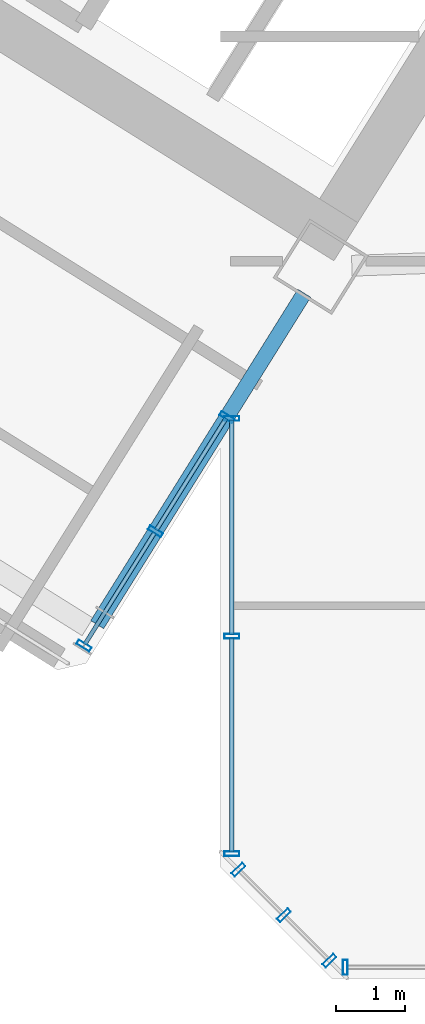
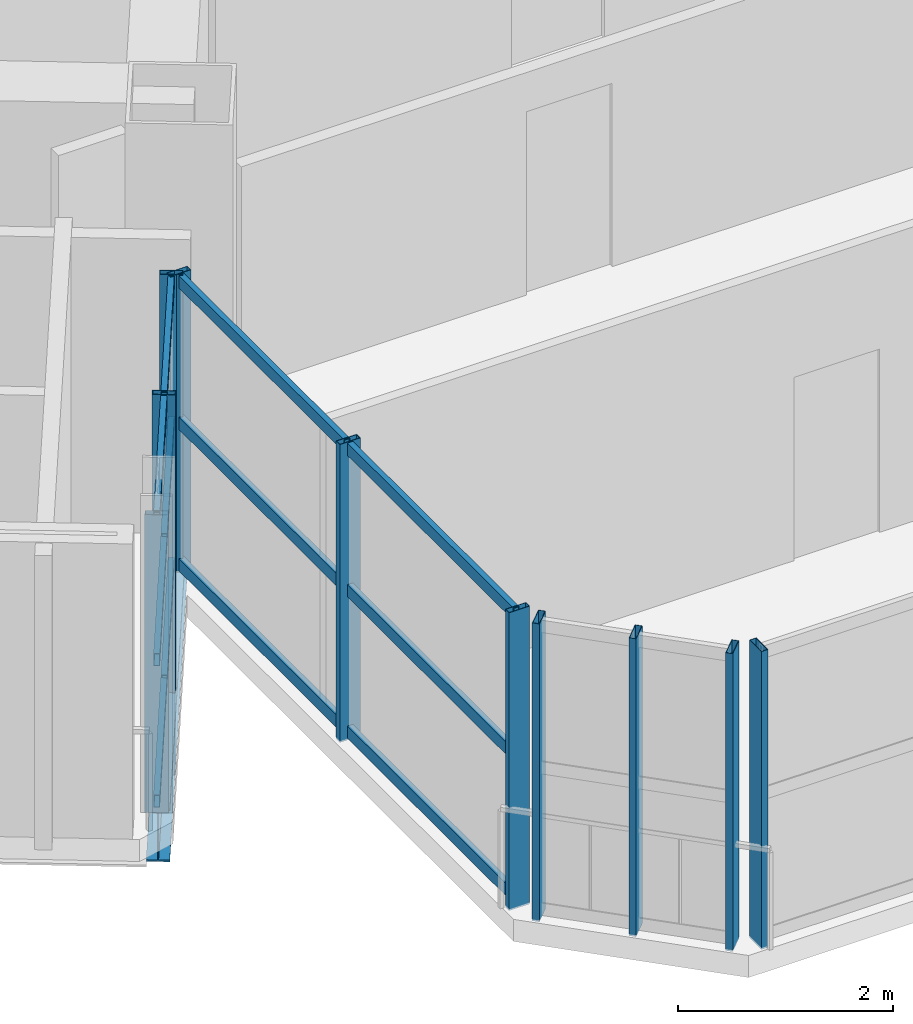
# One storey, part 5 of 28: 22 members, 1 beam, 4 elements without a shape of their own.
"""IFC4 building model written with IfcOpenShell, lengths in metres."""

from ifc_helpers import new_model, si_unit, direction, frame, origin, origin_2d, place, context, subcontext, project, spatial, hollow_rectangle, i_section, extrude, source, transform, mapped, material, material_profile, profile_set, type_object, element, aggregate, save


model = new_model("IFC4")

# Units and contexts
model_context = context("Model", 3, precision=1e-05, world=origin(), true_north=direction((0.0, 1.0)))
body_context = subcontext(model_context, "Body", "Model", "MODEL_VIEW")
ifc_project = project(units=[si_unit("LENGTHUNIT", "METRE"), si_unit("AREAUNIT", "SQUARE_METRE"), si_unit("VOLUMEUNIT", "CUBIC_METRE"), si_unit("PLANEANGLEUNIT", "RADIAN"), si_unit("MASSUNIT", "GRAM", prefix="KILO")], contexts=[model_context])

# Site, building, storey
site_placement = place(None, origin())
site = spatial("IfcSite", under=ifc_project, at=site_placement, CompositionType="ELEMENT")
building_placement = place(site_placement, origin())
building = spatial("IfcBuilding", under=site, at=building_placement, Name="Tlacorven Tower", CompositionType="ELEMENT")
storey_placement = place(building_placement, frame((0.0, 0.0, 63.60009765625)))
storey = spatial("IfcBuildingStorey", under=building, at=storey_placement, Name="L16", CompositionType="ELEMENT", Elevation=63.60009765625)

# Beam
ifc_material_1 = material(Name="Steel S355J2", Category="steel")
ifc_material_profile_1 = material_profile(ifc_material_1, i_section(OverallWidth=0.219970703125, OverallDepth=0.60009765625, WebThickness=0.011962890625, FlangeThickness=0.01904296875, at=origin_2d()), Name="IPE 600")
ifc_profile_set_1 = profile_set([ifc_material_profile_1], Name="Steel S355J2")
beam_type = type_object("IfcBeamType", Name="BM-TWR-600", PredefinedType="BEAM", material=ifc_profile_set_1)
shared_shape_1 = source(origin(), body_context, "Body", "SweptSolid", [
    extrude(i_section(OverallWidth=0.219970703125, OverallDepth=0.60009765625, WebThickness=0.011962890625, FlangeThickness=0.01904296875, at=origin_2d()), origin(), (0.0, 0.0, 1.0), 5.64990234375),
])
beam_placement = place(storey_placement, frame((32.8076171875, 11.705322265625, -0.550048828125), z_axis=(-0.529897948462, -0.848061415356, 0.0), x_axis=(0.848061415356, -0.529897948462, 0.0)))
element("IfcBeam", 1, at=beam_placement, inside=storey, type_object=beam_type, Name="L16 beam BM-L16-WT1-2", PredefinedType="BEAM", context=body_context, shape_type="MappedRepresentation", body=[
    mapped(shared_shape_1, transform((0.0, 0.0, 0.0), scale=1.0)),
])

# Curtain wall, members
ifc_material_2 = material(Name="Dark solar low-E double glazing in aluminium frame", Category="aluminium")
curtain_wall_type = type_object("IfcCurtainWallType", Name="CW-TWR-LOW", PredefinedType="USERDEFINED", material=ifc_material_2)
curtain_wall_1_placement = place(storey_placement, origin())
curtain_wall_1 = element("IfcCurtainWall", 2, at=curtain_wall_1_placement, inside=storey, type_object=curtain_wall_type, Name="L16 CW-TWR-LOW Curtain Wall 90", ObjectType="UNITISED CURTAIN WALL", PredefinedType="USERDEFINED")
ifc_material_3 = material(Name="Aluminium 6063-T6 anodised", Category="aluminium")
ifc_material_profile_2 = material_profile(ifc_material_3, hollow_rectangle(XDim=0.06005859375, YDim=0.139892578125, WallThickness=0.00390625, at=origin_2d()), Name="ALU TRANSOM 60X140")
ifc_profile_set_2 = profile_set([ifc_material_profile_2], Name="Aluminium 6063-T6 anodised")
member_type_1 = type_object("IfcMemberType", Name="CWT-02", PredefinedType="USERDEFINED", material=ifc_profile_set_2)
shared_shape_2 = source(origin(), body_context, "Body", "SweptSolid", [
    extrude(hollow_rectangle(XDim=0.06005859375, YDim=0.139892578125, WallThickness=0.00390625, at=origin_2d()), origin(), (0.0, 0.0, 1.0), 3.10009765625),
])
member_1_placement = place(storey_placement, frame((31.760009765625, 3.624267578125, 0.06982421875), z_axis=(0.0, 1.0, 0.0), x_axis=(-1.0, 0.0, 0.0)))
member_1 = element("IfcMember", 3, at=member_1_placement, type_object=member_type_1, Name="CW-L16-090 Transom 1", ObjectType="TRANSOM", PredefinedType="USERDEFINED", context=body_context, shape_type="MappedRepresentation", body=[
    mapped(shared_shape_2, transform((0.0, 0.0, 0.0), scale=1.0)),
])
member_2_placement = place(storey_placement, frame((31.760009765625, 3.624267578125, 1.6748046875), z_axis=(0.0, 1.0, 0.0), x_axis=(-1.0, 0.0, 0.0)))
member_2 = element("IfcMember", 4, at=member_2_placement, type_object=member_type_1, Name="CW-L16-090 Transom 2", ObjectType="TRANSOM", PredefinedType="USERDEFINED", context=body_context, shape_type="MappedRepresentation", body=[
    mapped(shared_shape_2, transform((0.0, 0.0, 0.0), scale=1.0)),
])
member_3_placement = place(storey_placement, frame((31.760009765625, 3.624267578125, 3.27978515625), z_axis=(0.0, 1.0, 0.0), x_axis=(-1.0, 0.0, 0.0)))
member_3 = element("IfcMember", 5, at=member_3_placement, type_object=member_type_1, Name="CW-L16-090 Transom 3", ObjectType="TRANSOM", PredefinedType="USERDEFINED", context=body_context, shape_type="MappedRepresentation", body=[
    mapped(shared_shape_2, transform((0.0, 0.0, 0.0), scale=1.0)),
])
member_4_placement = place(storey_placement, frame((31.760009765625, 6.7705078125, 0.06982421875), z_axis=(0.0, 1.0, 0.0), x_axis=(-1.0, 0.0, 0.0)))
member_4 = element("IfcMember", 6, at=member_4_placement, type_object=member_type_1, Name="CW-L16-090 Transom 4", ObjectType="TRANSOM", PredefinedType="USERDEFINED", context=body_context, shape_type="MappedRepresentation", body=[
    mapped(shared_shape_2, transform((0.0, 0.0, 0.0), scale=1.0)),
])
member_5_placement = place(storey_placement, frame((31.760009765625, 6.7705078125, 1.6748046875), z_axis=(0.0, 1.0, 0.0), x_axis=(-1.0, 0.0, 0.0)))
member_5 = element("IfcMember", 7, at=member_5_placement, type_object=member_type_1, Name="CW-L16-090 Transom 5", ObjectType="TRANSOM", PredefinedType="USERDEFINED", context=body_context, shape_type="MappedRepresentation", body=[
    mapped(shared_shape_2, transform((0.0, 0.0, 0.0), scale=1.0)),
])
member_6_placement = place(storey_placement, frame((31.760009765625, 6.7705078125, 3.27978515625), z_axis=(0.0, 1.0, 0.0), x_axis=(-1.0, 0.0, 0.0)))
member_6 = element("IfcMember", 8, at=member_6_placement, type_object=member_type_1, Name="CW-L16-090 Transom 6", ObjectType="TRANSOM", PredefinedType="USERDEFINED", context=body_context, shape_type="MappedRepresentation", body=[
    mapped(shared_shape_2, transform((0.0, 0.0, 0.0), scale=1.0)),
])

curtain_wall_2_placement = place(storey_placement, origin())
curtain_wall_2 = element("IfcCurtainWall", 9, at=curtain_wall_2_placement, inside=storey, type_object=curtain_wall_type, Name="L16 CW-TWR-LOW Curtain Wall 91", ObjectType="UNITISED CURTAIN WALL", PredefinedType="USERDEFINED")
shared_shape_3 = source(origin(), body_context, "Body", "SweptSolid", [
    extrude(hollow_rectangle(XDim=0.06005859375, YDim=0.139892578125, WallThickness=0.00390625, at=origin_2d()), origin(), (0.0, 0.0, 1.0), 1.902587890625),
])
member_7_placement = place(storey_placement, frame((31.67626953125, 9.894775390625, 0.06982421875), z_axis=(-0.529848980307, -0.848092010378, 0.0), x_axis=(0.848092010378, -0.529848980307, 0.0)))
member_7 = element("IfcMember", 10, at=member_7_placement, type_object=member_type_1, Name="CW-L16-091 Transom 1", ObjectType="TRANSOM", PredefinedType="USERDEFINED", context=body_context, shape_type="MappedRepresentation", body=[
    mapped(shared_shape_3, transform((0.0, 0.0, 0.0), scale=1.0)),
])
member_8_placement = place(storey_placement, frame((31.67626953125, 9.894775390625, 1.6748046875), z_axis=(-0.529848980307, -0.848092010378, 0.0), x_axis=(0.848092010378, -0.529848980307, 0.0)))
member_8 = element("IfcMember", 11, at=member_8_placement, type_object=member_type_1, Name="CW-L16-091 Transom 2", ObjectType="TRANSOM", PredefinedType="USERDEFINED", context=body_context, shape_type="MappedRepresentation", body=[
    mapped(shared_shape_3, transform((0.0, 0.0, 0.0), scale=1.0)),
])
member_9_placement = place(storey_placement, frame((31.67626953125, 9.894775390625, 3.27978515625), z_axis=(-0.529848980307, -0.848092010378, 0.0), x_axis=(0.848092010378, -0.529848980307, 0.0)))
member_9 = element("IfcMember", 12, at=member_9_placement, type_object=member_type_1, Name="CW-L16-091 Transom 3", ObjectType="TRANSOM", PredefinedType="USERDEFINED", context=body_context, shape_type="MappedRepresentation", body=[
    mapped(shared_shape_3, transform((0.0, 0.0, 0.0), scale=1.0)),
])
shared_shape_4 = source(origin(), body_context, "Body", "SweptSolid", [
    extrude(hollow_rectangle(XDim=0.06005859375, YDim=0.139892578125, WallThickness=0.00390625, at=origin_2d()), origin(), (0.0, 0.0, 1.0), 1.90234375),
])
member_10_placement = place(storey_placement, frame((30.643798828125, 8.242431640625, 0.06982421875), z_axis=(-0.52990664903, -0.84805597888, 0.0), x_axis=(0.84805597888, -0.52990664903, 0.0)))
member_10 = element("IfcMember", 13, at=member_10_placement, type_object=member_type_1, Name="CW-L16-091 Transom 4", ObjectType="TRANSOM", PredefinedType="USERDEFINED", context=body_context, shape_type="MappedRepresentation", body=[
    mapped(shared_shape_4, transform((0.0, 0.0, 0.0), scale=1.0)),
])
member_11_placement = place(storey_placement, frame((30.643798828125, 8.242431640625, 1.6748046875), z_axis=(-0.52990664903, -0.84805597888, 0.0), x_axis=(0.84805597888, -0.52990664903, 0.0)))
member_11 = element("IfcMember", 14, at=member_11_placement, type_object=member_type_1, Name="CW-L16-091 Transom 5", ObjectType="TRANSOM", PredefinedType="USERDEFINED", context=body_context, shape_type="MappedRepresentation", body=[
    mapped(shared_shape_4, transform((0.0, 0.0, 0.0), scale=1.0)),
])
member_12_placement = place(storey_placement, frame((30.643798828125, 8.242431640625, 3.27978515625), z_axis=(-0.52990664903, -0.84805597888, 0.0), x_axis=(0.84805597888, -0.52990664903, 0.0)))
member_12 = element("IfcMember", 15, at=member_12_placement, type_object=member_type_1, Name="CW-L16-091 Transom 6", ObjectType="TRANSOM", PredefinedType="USERDEFINED", context=body_context, shape_type="MappedRepresentation", body=[
    mapped(shared_shape_4, transform((0.0, 0.0, 0.0), scale=1.0)),
])

# Curtain wall, member
curtain_wall_3_placement = place(storey_placement, origin())
curtain_wall_3 = element("IfcCurtainWall", 16, at=curtain_wall_3_placement, inside=storey, type_object=curtain_wall_type, Name="L16 CW-TWR-LOW Curtain Wall 88", ObjectType="UNITISED CURTAIN WALL", PredefinedType="USERDEFINED")
ifc_material_profile_3 = material_profile(ifc_material_3, hollow_rectangle(XDim=0.070068359375, YDim=0.219970703125, WallThickness=0.0048828125, at=origin_2d()), Name="ALU MULLION 70X220")
ifc_profile_set_3 = profile_set([ifc_material_profile_3], Name="Aluminium 6063-T6 anodised")
member_type_2 = type_object("IfcMemberType", Name="CWM-01", PredefinedType="MULLION", material=ifc_profile_set_3)
shared_shape_5 = source(origin(), body_context, "Body", "SweptSolid", [
    extrude(hollow_rectangle(XDim=0.070068359375, YDim=0.219970703125, WallThickness=0.0048828125, at=origin_2d()), origin(), (0.0, 0.0, 1.0), 3.3798828125),
])
member_13_placement = place(storey_placement, frame((33.4013671875, 1.9599609375, -0.02001953125), z_axis=(0.0, 0.0, 1.0), x_axis=(-1.0, 0.0, 0.0)))
member_13 = element("IfcMember", 17, at=member_13_placement, type_object=member_type_2, Name="CW-L16-088 Mullion 4", PredefinedType="MULLION", context=body_context, shape_type="MappedRepresentation", body=[
    mapped(shared_shape_5, transform((0.0, 0.0, 0.0), scale=1.0)),
])
aggregate(curtain_wall_3, [member_13])

# Curtain wall, members
curtain_wall_4_placement = place(storey_placement, origin())
curtain_wall_4 = element("IfcCurtainWall", 18, at=curtain_wall_4_placement, inside=storey, type_object=curtain_wall_type, Name="L16 CW-TWR-LOW Curtain Wall 89", ObjectType="UNITISED CURTAIN WALL", PredefinedType="USERDEFINED")
member_14_placement = place(storey_placement, frame((33.1708984375, 2.055419921875, -0.02001953125), z_axis=(0.0, 0.0, 1.0), x_axis=(-0.707106781187, 0.707106781187, 0.0)))
member_14 = element("IfcMember", 19, at=member_14_placement, type_object=member_type_2, Name="CW-L16-089 Mullion 1", PredefinedType="MULLION", context=body_context, shape_type="MappedRepresentation", body=[
    mapped(shared_shape_5, transform((0.0, 0.0, 0.0), scale=1.0)),
])
member_15_placement = place(storey_placement, frame((32.51318359375, 2.713134765625, -0.02001953125), z_axis=(0.0, 0.0, 1.0), x_axis=(-0.707106781187, 0.707106781187, 0.0)))
member_15 = element("IfcMember", 20, at=member_15_placement, type_object=member_type_2, Name="CW-L16-089 Mullion 2", PredefinedType="MULLION", context=body_context, shape_type="MappedRepresentation", body=[
    mapped(shared_shape_5, transform((0.0, 0.0, 0.0), scale=1.0)),
])
member_16_placement = place(storey_placement, frame((31.85546875, 3.370849609375, -0.02001953125), z_axis=(0.0, 0.0, 1.0), x_axis=(-0.707106781187, 0.707106781187, 0.0)))
member_16 = element("IfcMember", 21, at=member_16_placement, type_object=member_type_2, Name="CW-L16-089 Mullion 3", PredefinedType="MULLION", context=body_context, shape_type="MappedRepresentation", body=[
    mapped(shared_shape_5, transform((0.0, 0.0, 0.0), scale=1.0)),
])
aggregate(curtain_wall_4, [member_14, member_15, member_16])

# Member
member_17_placement = place(storey_placement, frame((31.760009765625, 3.601318359375, -0.02001953125), z_axis=(0.0, 0.0, 1.0), x_axis=(0.0, 1.0, 0.0)))
member_17 = element("IfcMember", 22, at=member_17_placement, type_object=member_type_2, Name="CW-L16-090 Mullion 1", PredefinedType="MULLION", context=body_context, shape_type="MappedRepresentation", body=[
    mapped(shared_shape_5, transform((0.0, 0.0, 0.0), scale=1.0)),
])

member_18_placement = place(storey_placement, frame((31.760009765625, 6.74755859375, -0.02001953125), z_axis=(0.0, 0.0, 1.0), x_axis=(0.0, 1.0, 0.0)))
member_18 = element("IfcMember", 23, at=member_18_placement, type_object=member_type_2, Name="CW-L16-090 Mullion 2", PredefinedType="MULLION", context=body_context, shape_type="MappedRepresentation", body=[
    mapped(shared_shape_5, transform((0.0, 0.0, 0.0), scale=1.0)),
])

member_19_placement = place(storey_placement, frame((31.760009765625, 9.8935546875, -0.02001953125), z_axis=(0.0, 0.0, 1.0), x_axis=(0.0, 1.0, 0.0)))
member_19 = element("IfcMember", 24, at=member_19_placement, type_object=member_type_2, Name="CW-L16-090 Mullion 3", PredefinedType="MULLION", context=body_context, shape_type="MappedRepresentation", body=[
    mapped(shared_shape_5, transform((0.0, 0.0, 0.0), scale=1.0)),
])

aggregate(curtain_wall_1, [member_17, member_18, member_19, member_1, member_2, member_3, member_4, member_5, member_6])

member_20_placement = place(storey_placement, frame((31.6884765625, 9.9140625, -0.02001953125), z_axis=(0.0, 0.0, 1.0), x_axis=(-0.529918710919, -0.848048441905, 0.0)))
member_20 = element("IfcMember", 25, at=member_20_placement, type_object=member_type_2, Name="CW-L16-091 Mullion 1", PredefinedType="MULLION", context=body_context, shape_type="MappedRepresentation", body=[
    mapped(shared_shape_5, transform((0.0, 0.0, 0.0), scale=1.0)),
])

member_21_placement = place(storey_placement, frame((30.656005859375, 8.261962890625, -0.02001953125), z_axis=(0.0, 0.0, 1.0), x_axis=(-0.529918710919, -0.848048441905, 0.0)))
member_21 = element("IfcMember", 26, at=member_21_placement, type_object=member_type_2, Name="CW-L16-091 Mullion 2", PredefinedType="MULLION", context=body_context, shape_type="MappedRepresentation", body=[
    mapped(shared_shape_5, transform((0.0, 0.0, 0.0), scale=1.0)),
])

member_22_placement = place(storey_placement, frame((29.62353515625, 6.609619140625, -0.02001953125), z_axis=(0.0, 0.0, 1.0), x_axis=(-0.529918710919, -0.848048441905, 0.0)))
member_22 = element("IfcMember", 27, at=member_22_placement, type_object=member_type_2, Name="CW-L16-091 Mullion 3", PredefinedType="MULLION", context=body_context, shape_type="MappedRepresentation", body=[
    mapped(shared_shape_5, transform((0.0, 0.0, 0.0), scale=1.0)),
])

aggregate(curtain_wall_2, [member_20, member_21, member_22, member_7, member_8, member_9, member_10, member_11, member_12])

save(model, "model.ifc")
